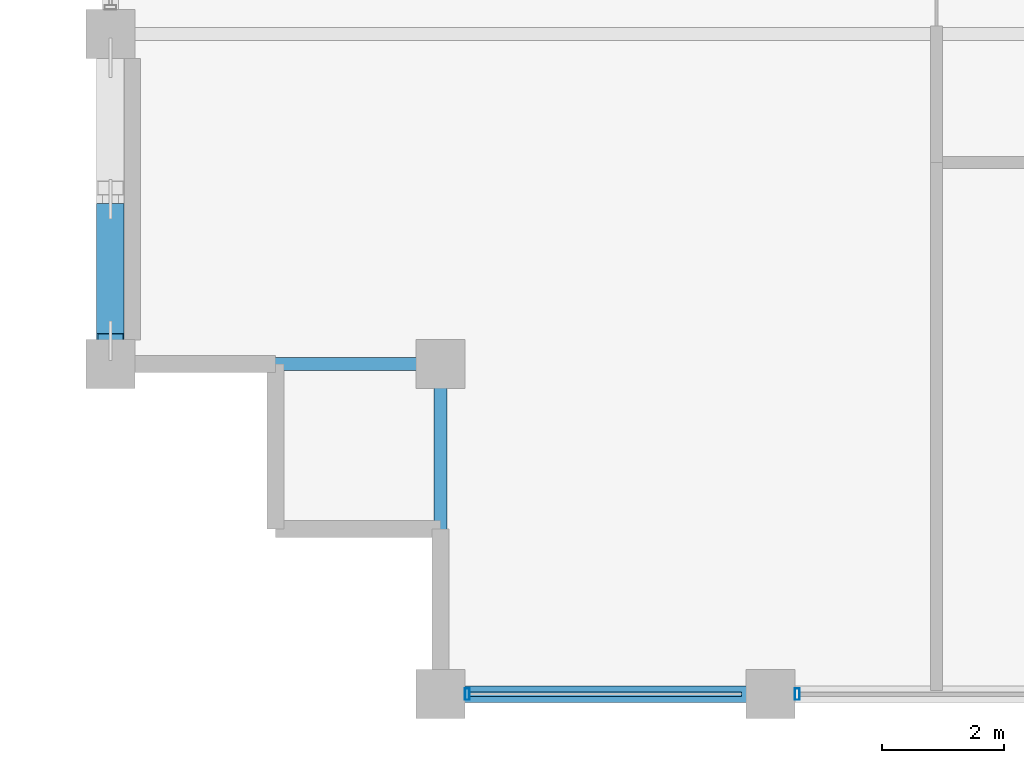
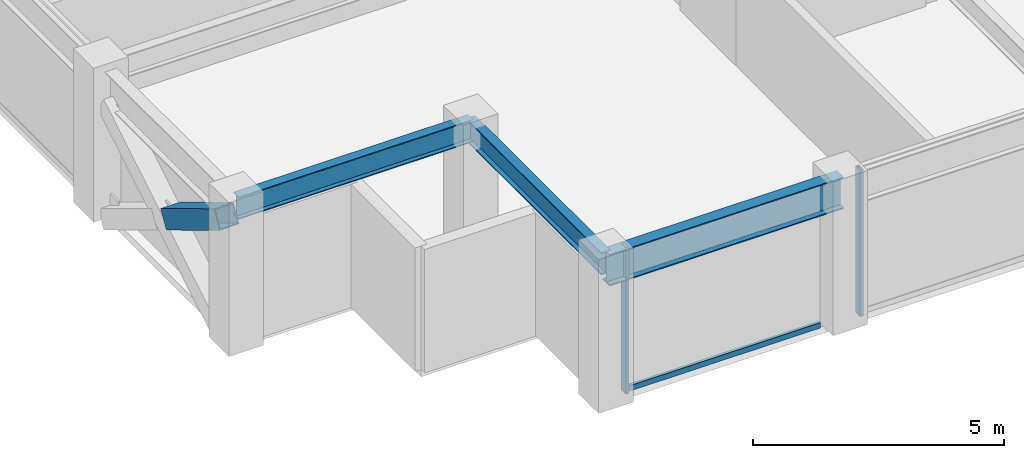
# One storey, part 2 of 32: 4 members, 3 beams, 1 element without a shape of its own.
"""IFC4 building model written with IfcOpenShell, lengths in metres."""

from ifc_helpers import new_model, si_unit, direction, frame, origin, origin_2d, place, context, subcontext, project, spatial, hollow_rectangle, i_section, extrude, material, layer, layer_set, material_profile, profile_set, type_object, element, aggregate, save


model = new_model("IFC4")

# Units and contexts
model_context = context("Model", 3, precision=1e-05, world=origin(), true_north=direction((0.0, 1.0)))
body_context = subcontext(model_context, "Body", "Model", "MODEL_VIEW")
ifc_project = project(units=[si_unit("LENGTHUNIT", "METRE"), si_unit("AREAUNIT", "SQUARE_METRE"), si_unit("VOLUMEUNIT", "CUBIC_METRE"), si_unit("PLANEANGLEUNIT", "RADIAN"), si_unit("MASSUNIT", "GRAM", prefix="KILO")], contexts=[model_context])

# Site, building, storey
site_placement = place(None, origin())
site = spatial("IfcSite", under=ifc_project, at=site_placement, CompositionType="ELEMENT")
building_placement = place(site_placement, origin())
building = spatial("IfcBuilding", under=site, at=building_placement, Name="Surkhivell Harbour Commons", CompositionType="ELEMENT")
storey_placement = place(building_placement, frame((0.0, 0.0, 234.75)))
storey = spatial("IfcBuildingStorey", under=building, at=storey_placement, Name="L61", CompositionType="ELEMENT", Elevation=234.75)

# Beams
ifc_material_1 = material(Name="Steel S355", Category="steel")
ifc_material_profile_1 = material_profile(ifc_material_1, i_section(OverallWidth=0.2119140625, OverallDepth=0.5439453125, WebThickness=0.0126953125, FlangeThickness=0.021240234375, at=origin_2d()), Name="UB533x210x122")
ifc_profile_set_1 = profile_set([ifc_material_profile_1], Name="Steel S355")
beam_type_1 = type_object("IfcBeamType", Name="BM-GRD-533A", PredefinedType="BEAM", material=ifc_profile_set_1)
beam_1_placement = place(storey_placement, frame((-27.0, -16.199951171875, 3.298095703125), z_axis=(1.0, 0.0, 0.0), x_axis=(0.0, 1.0, 0.0)))
element("IfcBeam", 1, at=beam_1_placement, inside=storey, type_object=beam_type_1, Name="L61 Floor Girder (-27.0,-16.2)", PredefinedType="BEAM", context=body_context, shape_type="SweptSolid", body=[
    extrude(i_section(OverallWidth=0.2119140625, OverallDepth=0.5439453125, WebThickness=0.0126953125, FlangeThickness=0.021240234375, at=origin_2d()), origin(), (0.0, 0.0, 1.0), 5.39990234375),
])
beam_2_placement = place(storey_placement, frame((-21.60009765625, -21.60009765625, 3.298095703125), z_axis=(0.0, 1.0, 0.0), x_axis=(-1.0, 0.0, 0.0)))
element("IfcBeam", 2, at=beam_2_placement, inside=storey, type_object=beam_type_1, Name="L61 Floor Girder (-21.6,-21.6)", PredefinedType="BEAM", context=body_context, shape_type="SweptSolid", body=[
    extrude(i_section(OverallWidth=0.2119140625, OverallDepth=0.5439453125, WebThickness=0.0126953125, FlangeThickness=0.021240234375, at=origin_2d()), origin(), (0.0, 0.0, 1.0), 5.400146484375),
])
ifc_material_profile_2 = material_profile(ifc_material_1, i_section(OverallWidth=0.26806640625, OverallDepth=0.77001953125, WebThickness=0.015625, FlangeThickness=0.025390625, at=origin_2d()), Name="UB762x267x197")
ifc_profile_set_2 = profile_set([ifc_material_profile_2], Name="Steel S355")
beam_type_2 = type_object("IfcBeamType", Name="BM-SPN-762", PredefinedType="SPANDREL", material=ifc_profile_set_2)
beam_3_placement = place(storey_placement, frame((-21.60009765625, -21.60009765625, 3.18505859375), z_axis=(1.0, 0.0, 0.0), x_axis=(0.0, 1.0, 0.0)))
element("IfcBeam", 3, at=beam_3_placement, inside=storey, type_object=beam_type_2, Name="L61 Tube Spandrel (-21.6,-21.6)", PredefinedType="SPANDREL", context=body_context, shape_type="SweptSolid", body=[
    extrude(i_section(OverallWidth=0.26806640625, OverallDepth=0.77001953125, WebThickness=0.015625, FlangeThickness=0.025390625, at=origin_2d()), origin(), (0.0, 0.0, 1.0), 5.400146484375),
])

# Curtain wall, members
ifc_material_2 = material(Name="Anodised pale-metal aluminium and insulated glazing", Category="aluminium")
ifc_layer = layer(ifc_material_2, 0.18994140625)
ifc_layer_set = layer_set([ifc_layer], Name="Anodised pale-metal aluminium and insulated glazing")
curtain_wall_type = type_object("IfcCurtainWallType", Name="CW-SYS-Z3", PredefinedType="NOTDEFINED", material=ifc_layer_set)
curtain_wall_placement = place(storey_placement, origin())
curtain_wall = element("IfcCurtainWall", 4, at=curtain_wall_placement, inside=storey, type_object=curtain_wall_type, Name="L61 Curtain Wall CW-L61-E00S1", PredefinedType="NOTDEFINED")
ifc_material_3 = material(Name="Anodised pale-metal aluminium alloy 6063-T6", Category="aluminium")
ifc_material_profile_3 = material_profile(ifc_material_3, hollow_rectangle(XDim=0.074951171875, YDim=0.18994140625, WallThickness=0.00390625, at=origin_2d()), Name="ALU-MULL-75x190")
ifc_profile_set_3 = profile_set([ifc_material_profile_3], Name="Anodised pale-metal aluminium alloy 6063-T6")
member_type_1 = type_object("IfcMemberType", Name="CWM-190", PredefinedType="MULLION", material=ifc_profile_set_3)
member_1_placement = place(storey_placement, frame((-21.160400390625, -21.60009765625, 0.0), z_axis=(0.0, 0.0, 1.0), x_axis=(1.0, 0.0, 0.0)))
member_1 = element("IfcMember", 5, at=member_1_placement, type_object=member_type_1, Name="CW-Z3 mullion 1", PredefinedType="MULLION", context=body_context, shape_type="SweptSolid", body=[
    extrude(hollow_rectangle(XDim=0.074951171875, YDim=0.18994140625, WallThickness=0.00390625, at=origin_2d()), origin(), (0.0, 0.0, 1.0), 3.570068359375),
])
member_2_placement = place(storey_placement, frame((-15.760498046875, -21.60009765625, 0.0), z_axis=(0.0, 0.0, 1.0), x_axis=(1.0, 0.0, 0.0)))
member_2 = element("IfcMember", 6, at=member_2_placement, type_object=member_type_1, Name="CW-Z3 mullion 2", PredefinedType="MULLION", context=body_context, shape_type="SweptSolid", body=[
    extrude(hollow_rectangle(XDim=0.074951171875, YDim=0.18994140625, WallThickness=0.00390625, at=origin_2d()), origin(), (0.0, 0.0, 1.0), 3.570068359375),
])
ifc_material_4 = material(Name="Champagne anodised aluminium alloy 6063-T6", Category="aluminium")
ifc_material_profile_4 = material_profile(ifc_material_4, hollow_rectangle(XDim=0.070068359375, YDim=0.1298828125, WallThickness=0.00341796875, at=origin_2d()), Name="ALU-TRAN-70x130")
ifc_profile_set_4 = profile_set([ifc_material_profile_4], Name="Champagne anodised aluminium alloy 6063-T6")
member_type_2 = type_object("IfcMemberType", Name="CWT-130", PredefinedType="USERDEFINED", material=ifc_profile_set_4)
member_3_placement = place(storey_placement, frame((-21.123046875, -21.60009765625, 0.06494140625), z_axis=(1.0, 0.0, 0.0), x_axis=(0.0, 1.0, 0.0)))
member_3 = element("IfcMember", 7, at=member_3_placement, type_object=member_type_2, Name="CW-Z3 transom 1.1", ObjectType="TRANSOM", PredefinedType="USERDEFINED", context=body_context, shape_type="SweptSolid", body=[
    extrude(hollow_rectangle(XDim=0.070068359375, YDim=0.1298828125, WallThickness=0.00341796875, at=origin_2d()), origin(), (0.0, 0.0, 1.0), 4.446044921875),
])
aggregate(curtain_wall, [member_1, member_3, member_2])

# Member
ifc_material_5 = material(Name="Steel S460", Category="steel")
ifc_material_profile_5 = material_profile(ifc_material_5, hollow_rectangle(XDim=0.449951171875, YDim=0.449951171875, WallThickness=0.02197265625, at=origin_2d()), Name="SHS450x450x22")
ifc_profile_set_5 = profile_set([ifc_material_profile_5], Name="Steel S460")
member_type_3 = type_object("IfcMemberType", Name="MEM-BRC-SHS450", PredefinedType="BRACE", material=ifc_profile_set_5)
member_4_placement = place(storey_placement, frame((-27.0, -13.684814453125, 1.517578125), z_axis=(0.0, -0.856017753989, 0.516946423584), x_axis=(1.0, 0.0, 0.0)))
element("IfcMember", 8, at=member_4_placement, inside=storey, type_object=member_type_3, Name="L61 Perimeter Mega-Brace MB- 12", PredefinedType="BRACE", context=body_context, shape_type="SweptSolid", body=[
    extrude(hollow_rectangle(XDim=0.449951171875, YDim=0.449951171875, WallThickness=0.02197265625, at=origin_2d()), origin(), (0.0, 0.0, 1.0), 2.488525390625),
])

save(model, "model.ifc")
